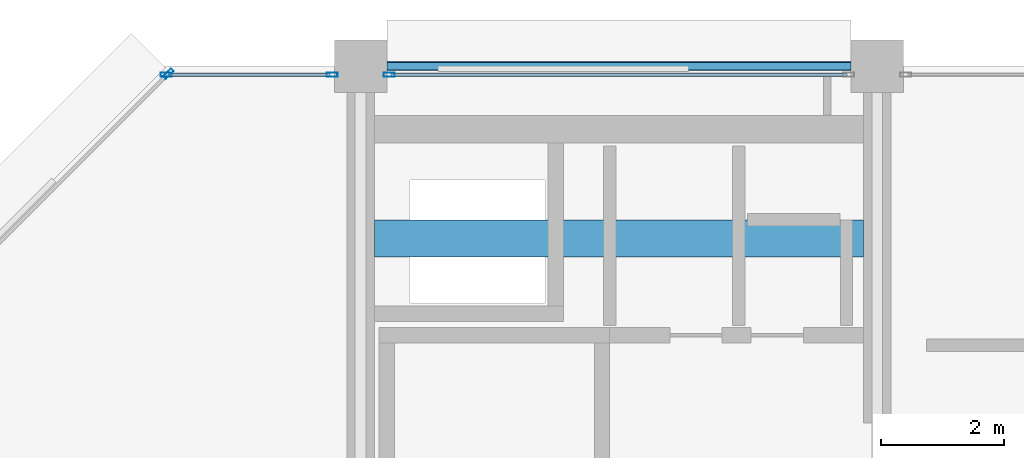
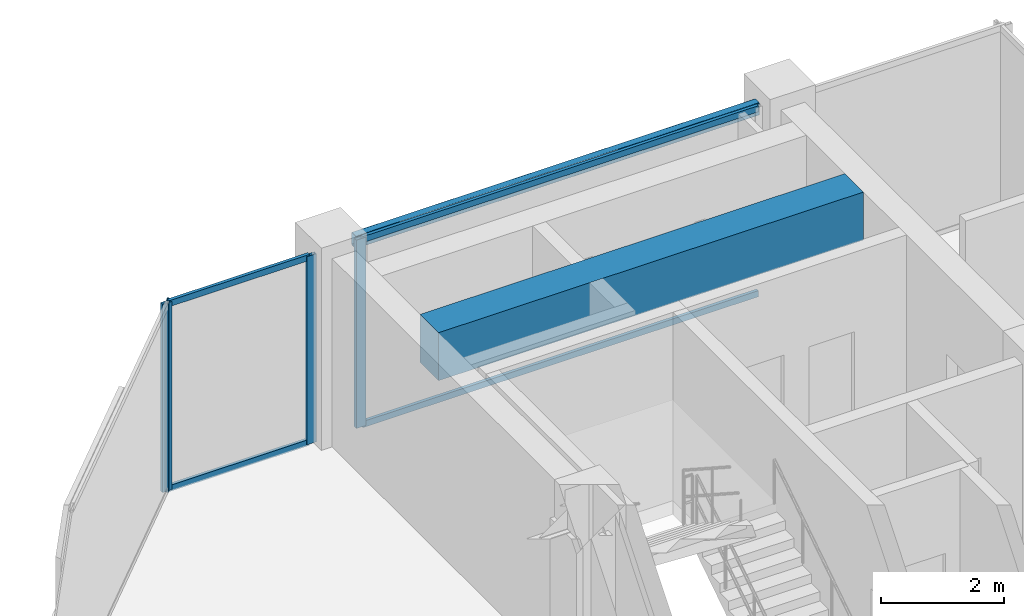
# One storey, part 18 of 27: 8 members, 2 beams, 3 elements without a shape of their own.
"""IFC4 building model written with IfcOpenShell, lengths in metres."""

from ifc_helpers import new_model, si_unit, direction, frame, origin, origin_2d, place, context, subcontext, project, spatial, rectangle, hollow_rectangle, extrude, material, layer, layer_set, material_profile, profile_set, type_object, element, aggregate, save


model = new_model("IFC4")

# Units and contexts
model_context = context("Model", 3, precision=1e-05, world=origin(), true_north=direction((0.0, 1.0)))
body_context = subcontext(model_context, "Body", "Model", "MODEL_VIEW")
ifc_project = project(units=[si_unit("LENGTHUNIT", "METRE"), si_unit("AREAUNIT", "SQUARE_METRE"), si_unit("VOLUMEUNIT", "CUBIC_METRE"), si_unit("PLANEANGLEUNIT", "RADIAN"), si_unit("MASSUNIT", "GRAM", prefix="KILO")], contexts=[model_context])

# Site, building, storey
site_placement = place(None, origin())
site = spatial("IfcSite", under=ifc_project, at=site_placement, CompositionType="ELEMENT")
building_placement = place(site_placement, origin())
building = spatial("IfcBuilding", under=site, at=building_placement, Name="Nerrivon Quay Data Exchange", CompositionType="ELEMENT")
storey_placement = place(building_placement, frame((0.0, 0.0, 278.199951171875)))
storey = spatial("IfcBuildingStorey", under=building, at=storey_placement, Name="L66", CompositionType="ELEMENT", Elevation=278.199951171875)

# Beams
ifc_material_1 = material(Name="Concrete N50 (50 MPa)", Category="concrete")
ifc_material_profile_1 = material_profile(ifc_material_1, rectangle(XDim=0.60009765625, YDim=0.949951171875, at=origin_2d()), Name="RC-CB-600x950")
ifc_profile_set_1 = profile_set([ifc_material_profile_1], Name="Concrete N50 (50 MPa)")
beam_type_1 = type_object("IfcBeamType", Name="BM-CB2-600x950", PredefinedType="LINTEL", material=ifc_profile_set_1)
beam_1_placement = place(storey_placement, frame((8.625, 39.199951171875, 3.25), z_axis=(1.0, 0.0, 0.0), x_axis=(0.0, 1.0, 0.0)))
element("IfcBeam", 1, at=beam_1_placement, inside=storey, type_object=beam_type_1, Name="L66 West Core Coupling Beam", PredefinedType="LINTEL", context=body_context, shape_type="SweptSolid", body=[
    extrude(rectangle(XDim=0.60009765625, YDim=0.949951171875, at=origin_2d()), origin(), (0.0, 0.0, 1.0), 7.949951171875),
])
ifc_material_2 = material(Name="Steel Grade C350L0 (350 MPa)", Category="steel")
ifc_material_profile_2 = material_profile(ifc_material_2, hollow_rectangle(XDim=0.14990234375, YDim=0.25, WallThickness=0.009033203125, InnerFilletRadius=0.013427734375, OuterFilletRadius=0.0224609375, at=origin_2d()), Name="250x150x9.0RHS")
ifc_profile_set_2 = profile_set([ifc_material_profile_2], Name="Steel Grade C350L0 (350 MPa)")
beam_type_2 = type_object("IfcBeamType", Name="BM-SP4-250x150RHS", PredefinedType="SPANDREL", material=ifc_profile_set_2)
beam_2_placement = place(storey_placement, frame((8.824951171875, 42.0, 3.60009765625), z_axis=(1.0, 0.0, 0.0), x_axis=(0.0, 1.0, 0.0)))
element("IfcBeam", 2, at=beam_2_placement, inside=storey, type_object=beam_type_2, Name="L66 EW Girder Y=42.0 (8.4..16.8)", PredefinedType="SPANDREL", context=body_context, shape_type="SweptSolid", body=[
    extrude(hollow_rectangle(XDim=0.14990234375, YDim=0.25, WallThickness=0.009033203125, InnerFilletRadius=0.013427734375, OuterFilletRadius=0.0224609375, at=origin_2d()), origin(), (0.0, 0.0, 1.0), 7.550048828125),
])

# Curtain wall, member
ifc_material_3 = material(Name="Anodised aluminium 6063-T6", Category="aluminium")
ifc_layer = layer(ifc_material_3, 0.195068359375)
ifc_layer_set = layer_set([ifc_layer], Name="Anodised aluminium 6063-T6")
curtain_wall_type = type_object("IfcCurtainWallType", Name="CW-SYS-06", PredefinedType="NOTDEFINED", material=ifc_layer_set)
curtain_wall_1_placement = place(storey_placement, origin())
curtain_wall_1 = element("IfcCurtainWall", 3, at=curtain_wall_1_placement, inside=storey, type_object=curtain_wall_type, Name="L66 Unitised Curtain Wall 16", PredefinedType="NOTDEFINED")
ifc_material_profile_3 = material_profile(ifc_material_3, hollow_rectangle(XDim=0.06494140625, YDim=0.179931640625, WallThickness=0.00341796875, at=origin_2d()), Name="ALU-MULL-180x65")
ifc_profile_set_3 = profile_set([ifc_material_profile_3], Name="Anodised aluminium 6063-T6")
member_type_1 = type_object("IfcMemberType", Name="CWM-180x65", PredefinedType="MULLION", material=ifc_profile_set_3)
member_1_placement = place(storey_placement, frame((5.2724609375, 41.87451171875, 0.0), z_axis=(0.0, 0.0, 1.0), x_axis=(-0.707106781187, 0.707106781187, 0.0)))
member_1 = element("IfcMember", 4, at=member_1_placement, type_object=member_type_1, Name="CW06 mullion 2", PredefinedType="MULLION", context=body_context, shape_type="SweptSolid", body=[
    extrude(hollow_rectangle(XDim=0.06494140625, YDim=0.179931640625, WallThickness=0.00341796875, at=origin_2d()), origin(), (0.0, 0.0, 1.0), 3.72509765625),
])
aggregate(curtain_wall_1, [member_1])

# Curtain wall, members
curtain_wall_2_placement = place(storey_placement, origin())
curtain_wall_2 = element("IfcCurtainWall", 5, at=curtain_wall_2_placement, inside=storey, type_object=curtain_wall_type, Name="L66 Unitised Curtain Wall 17", PredefinedType="NOTDEFINED")
member_2_placement = place(storey_placement, frame((5.237548828125, 41.860107421875, 0.0), z_axis=(0.0, 0.0, 1.0), x_axis=(0.0, 1.0, 0.0)))
member_2 = element("IfcMember", 6, at=member_2_placement, type_object=member_type_1, Name="CW06 mullion 1", PredefinedType="MULLION", context=body_context, shape_type="SweptSolid", body=[
    extrude(hollow_rectangle(XDim=0.06494140625, YDim=0.179931640625, WallThickness=0.00341796875, at=origin_2d()), origin(), (0.0, 0.0, 1.0), 3.72509765625),
])
member_3_placement = place(storey_placement, frame((7.9375, 41.860107421875, 0.0), z_axis=(0.0, 0.0, 1.0), x_axis=(0.0, 1.0, 0.0)))
member_3 = element("IfcMember", 7, at=member_3_placement, type_object=member_type_1, Name="CW06 mullion 2", PredefinedType="MULLION", context=body_context, shape_type="SweptSolid", body=[
    extrude(hollow_rectangle(XDim=0.06494140625, YDim=0.179931640625, WallThickness=0.00341796875, at=origin_2d()), origin(), (0.0, 0.0, 1.0), 3.72509765625),
])

# Curtain wall, member
curtain_wall_3_placement = place(storey_placement, origin())
curtain_wall_3 = element("IfcCurtainWall", 8, at=curtain_wall_3_placement, inside=storey, type_object=curtain_wall_type, Name="L66 Unitised Curtain Wall 18", PredefinedType="NOTDEFINED")
member_4_placement = place(storey_placement, frame((8.862548828125, 41.860107421875, 0.0), z_axis=(0.0, 0.0, 1.0), x_axis=(0.0, 1.0, 0.0)))
member_4 = element("IfcMember", 9, at=member_4_placement, type_object=member_type_1, Name="CW06 mullion 1", PredefinedType="MULLION", context=body_context, shape_type="SweptSolid", body=[
    extrude(hollow_rectangle(XDim=0.06494140625, YDim=0.179931640625, WallThickness=0.00341796875, at=origin_2d()), origin(), (0.0, 0.0, 1.0), 3.72509765625),
])

# Member
ifc_material_profile_4 = material_profile(ifc_material_3, hollow_rectangle(XDim=0.06005859375, YDim=0.1201171875, WallThickness=0.003173828125, at=origin_2d()), Name="ALU-TRAN-120x60")
ifc_profile_set_4 = profile_set([ifc_material_profile_4], Name="Anodised aluminium 6063-T6")
member_type_2 = type_object("IfcMemberType", Name="CWT-120x60", PredefinedType="USERDEFINED", material=ifc_profile_set_4)
member_5_placement = place(storey_placement, frame((5.27490234375, 41.860107421875, 0.032470703125), z_axis=(1.0, 0.0, 0.0), x_axis=(0.0, 1.0, 0.0)))
member_5 = element("IfcMember", 10, at=member_5_placement, type_object=member_type_2, Name="CW06 transom 1.1", ObjectType="TRANSOM", PredefinedType="USERDEFINED", context=body_context, shape_type="SweptSolid", body=[
    extrude(hollow_rectangle(XDim=0.06005859375, YDim=0.1201171875, WallThickness=0.003173828125, at=origin_2d()), origin(), (0.0, 0.0, 1.0), 2.625),
])

member_6_placement = place(storey_placement, frame((5.27490234375, 41.860107421875, 3.692626953125), z_axis=(1.0, 0.0, 0.0), x_axis=(0.0, 1.0, 0.0)))
member_6 = element("IfcMember", 11, at=member_6_placement, type_object=member_type_2, Name="CW06 transom 1.2", ObjectType="TRANSOM", PredefinedType="USERDEFINED", context=body_context, shape_type="SweptSolid", body=[
    extrude(hollow_rectangle(XDim=0.06005859375, YDim=0.1201171875, WallThickness=0.003173828125, at=origin_2d()), origin(), (0.0, 0.0, 1.0), 2.625),
])

aggregate(curtain_wall_2, [member_2, member_3, member_5, member_6])

member_7_placement = place(storey_placement, frame((8.89990234375, 41.860107421875, 0.032470703125), z_axis=(1.0, 0.0, 0.0), x_axis=(0.0, 1.0, 0.0)))
member_7 = element("IfcMember", 12, at=member_7_placement, type_object=member_type_2, Name="CW06 transom 1.1", ObjectType="TRANSOM", PredefinedType="USERDEFINED", context=body_context, shape_type="SweptSolid", body=[
    extrude(hollow_rectangle(XDim=0.06005859375, YDim=0.1201171875, WallThickness=0.003173828125, at=origin_2d()), origin(), (0.0, 0.0, 1.0), 7.400146484375),
])

member_8_placement = place(storey_placement, frame((8.89990234375, 41.860107421875, 3.692626953125), z_axis=(1.0, 0.0, 0.0), x_axis=(0.0, 1.0, 0.0)))
member_8 = element("IfcMember", 13, at=member_8_placement, type_object=member_type_2, Name="CW06 transom 1.2", ObjectType="TRANSOM", PredefinedType="USERDEFINED", context=body_context, shape_type="SweptSolid", body=[
    extrude(hollow_rectangle(XDim=0.06005859375, YDim=0.1201171875, WallThickness=0.003173828125, at=origin_2d()), origin(), (0.0, 0.0, 1.0), 7.400146484375),
])

aggregate(curtain_wall_3, [member_4, member_7, member_8])

save(model, "model.ifc")
